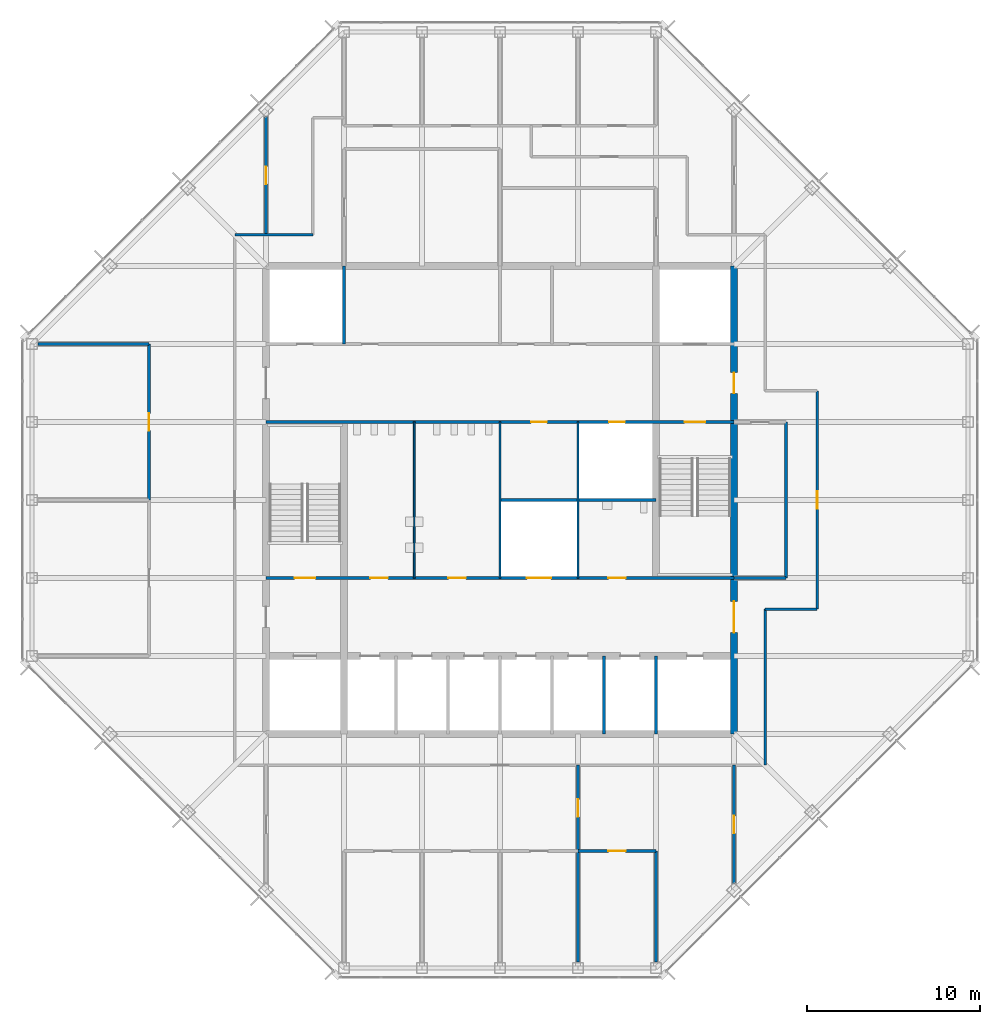
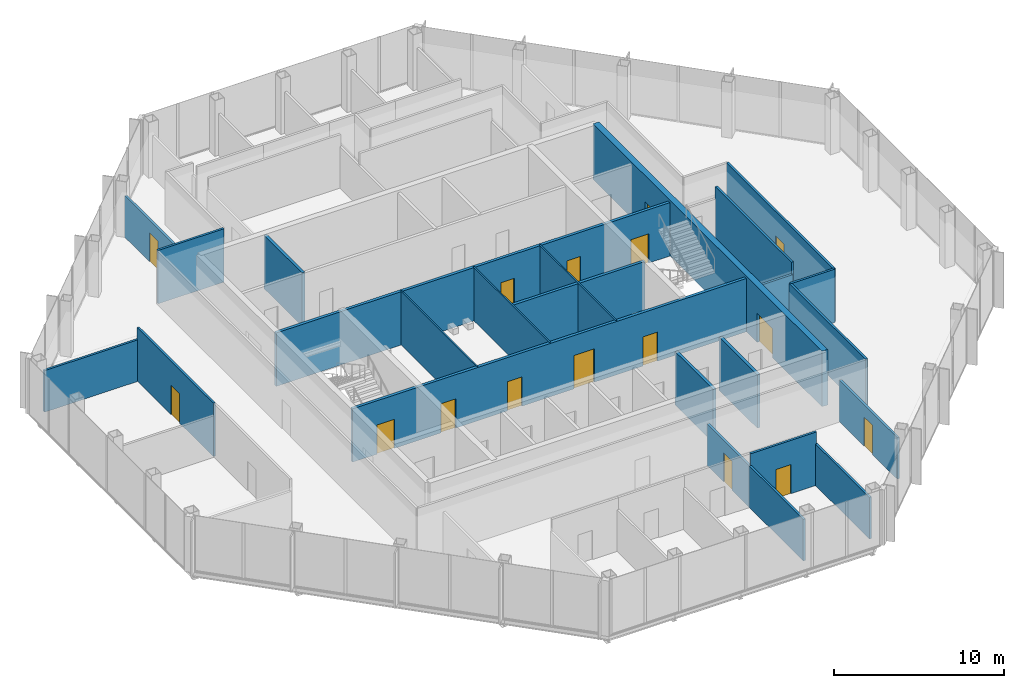
# One storey, part 10 of 14: 24 walls, 16 doors, 16 openings.
"""IFC4 building model written with IfcOpenShell, lengths in metres."""

import ifcopenshell
import ifcopenshell.guid

model = None  # the IFC model being written
_history = None  # IfcOwnerHistory: only IFC2X3 demands one
_inside = {}  # id of a spatial element -> (the spatial element, [elements in it])
_under = {}  # id of a project, library or spatial element -> (it, [spatial elements below it])
_declared = {}  # id of a project -> (the project, [libraries it declares])
_typed = {}  # id of a type object -> (the type object, [elements of that type])
_made_of = {}  # id of a material, layer set ... -> (it, [elements and type objects made of it])


def new_model(schema):
    """Start an empty IFC model of exactly this schema.

    Asked for "IFC4X3", IfcOpenShell would pick the latest addendum, in which some entities
    have other attributes; the version numbers below select the first issue.
    IFC2X3 requires an IfcOwnerHistory on every rooted entity: one is made here for all.
    """
    global model, _history
    if schema == "IFC4X3":
        model = ifcopenshell.file(schema_version=(4, 3, 0, 0))
    else:
        model = ifcopenshell.file(schema=schema)
    _inside.clear()
    _under.clear()
    _declared.clear()
    _typed.clear()
    _made_of.clear()
    _history = None
    if model.schema == "IFC2X3":
        org = make("IfcOrganization", Name="unknown")
        user = make(
            "IfcPersonAndOrganization",
            ThePerson=make("IfcPerson", FamilyName="unknown"),
            TheOrganization=org,
        )
        app = make(
            "IfcApplication",
            ApplicationDeveloper=org,
            Version="unknown",
            ApplicationFullName="unknown",
            ApplicationIdentifier="unknown",
        )
        _history = make(
            "IfcOwnerHistory",
            OwningUser=user,
            OwningApplication=app,
            ChangeAction="ADDED",
            CreationDate=0,
        )
    return model


def make(cls, **values):
    """One entity of the class cls with the attributes given. An attribute that is None is left unset."""
    return model.create_entity(
        cls, **{name: value for name, value in values.items() if value is not None}
    )


def rooted(cls, **values):
    """An entity with a GlobalId (a new one), such as an element, a storey or a relation."""
    return make(cls, GlobalId=ifcopenshell.guid.new(), OwnerHistory=_history, **values)


def si_unit(unit_type, name, prefix=None):
    """IfcSIUnit, for example si_unit("LENGTHUNIT", "METRE", prefix="MILLI")."""
    return make("IfcSIUnit", UnitType=unit_type, Prefix=prefix, Name=name)


def assignment(units):
    """IfcUnitAssignment: the units of a project."""
    return None if units is None else make("IfcUnitAssignment", Units=units)


def point(xyz):
    """IfcCartesianPoint."""
    return None if xyz is None else make("IfcCartesianPoint", Coordinates=xyz)


def direction(xyz):
    """IfcDirection."""
    return None if xyz is None else make("IfcDirection", DirectionRatios=xyz)


def frame(location, z_axis=None, x_axis=None):
    """IfcAxis2Placement3D, a coordinate frame: its origin and axes. An axis left out is left unset."""
    return make(
        "IfcAxis2Placement3D",
        Location=point(location),
        Axis=direction(z_axis),
        RefDirection=direction(x_axis),
    )


def frame_2d(location, x_axis=None):
    """IfcAxis2Placement2D, a coordinate frame in the plane: its origin and x axis."""
    return make(
        "IfcAxis2Placement2D", Location=point(location), RefDirection=direction(x_axis)
    )


def origin():
    """The frame at (0, 0, 0) with its axes left unset."""
    return frame((0.0, 0.0, 0.0))


def place(relative_to, where):
    """IfcLocalPlacement: puts the frame where relative to a parent placement (None: the world)."""
    return make(
        "IfcLocalPlacement", PlacementRelTo=relative_to, RelativePlacement=where
    )


def context(
    kind, dimensions, precision=None, world=None, true_north=None, identifier=None
):
    """IfcGeometricRepresentationContext, for example the 3D "Model" context."""
    return make(
        "IfcGeometricRepresentationContext",
        ContextIdentifier=identifier,
        ContextType=kind,
        CoordinateSpaceDimension=dimensions,
        Precision=precision,
        WorldCoordinateSystem=world,
        TrueNorth=true_north,
    )


def subcontext(parent, identifier, kind, view, scale=None):
    """IfcGeometricRepresentationSubContext, for example "Body" below "Model"."""
    return make(
        "IfcGeometricRepresentationSubContext",
        ContextIdentifier=identifier,
        ContextType=kind,
        ParentContext=parent,
        TargetScale=scale,
        TargetView=view,
    )


def project(units=None, contexts=None):
    """IfcProject with its units and contexts."""
    return rooted(
        "IfcProject",
        Name="project",
        RepresentationContexts=contexts,
        UnitsInContext=assignment(units),
    )


def spatial(cls, under=None, at=None, **own):
    """A site, building, storey or space (cls), placed at a placement, below another one or the project."""
    s = rooted(cls, ObjectPlacement=at, **own)
    if under is not None:
        _under.setdefault(under.id(), (under, []))[1].append(s)
    return s


def profile(cls, at=None, kind="AREA", **sizes):
    """A parametric profile (cls). Its sizes go by their IFC names, for example OverallWidth=200.0."""
    return make(cls, ProfileType=kind, Position=at, **sizes)


def rectangle(**sizes):
    """IfcRectangleProfileDef."""
    return profile("IfcRectangleProfileDef", **sizes)


def extrude(swept, where, along, depth):
    """IfcExtrudedAreaSolid: the profile swept, set in the frame where, extruded along a direction by depth."""
    return make(
        "IfcExtrudedAreaSolid",
        SweptArea=swept,
        Position=where,
        ExtrudedDirection=direction(along),
        Depth=depth,
    )


def shape(context_of_items, identifier, shape_type, items):
    """IfcShapeRepresentation: the items that make up one representation, for example the "Body"."""
    return make(
        "IfcShapeRepresentation",
        ContextOfItems=context_of_items,
        RepresentationIdentifier=identifier,
        RepresentationType=shape_type,
        Items=items,
    )


def material(Name=None, Category=None):
    """IfcMaterial."""
    return make("IfcMaterial", Name=Name, Category=Category)


def layer(
    of_material, thickness, ventilated=None, Name=None, Category=None, Priority=None
):
    """IfcMaterialLayer: one layer of a wall or slab, of a material (None: an air gap)."""
    return make(
        "IfcMaterialLayer",
        Material=of_material,
        LayerThickness=thickness,
        IsVentilated=ventilated,
        Name=Name,
        Category=Category,
        Priority=Priority,
    )


def layer_set(layers, Name=None):
    """IfcMaterialLayerSet."""
    return make("IfcMaterialLayerSet", MaterialLayers=layers, LayerSetName=Name)


def made_of(thing, what):
    """Note that an element or type object is made of a material, layer set ...; save() writes the relation."""
    if what is not None:
        _made_of.setdefault(what.id(), (what, []))[1].append(thing)
    return thing


def type_object(cls, material=None, **own):
    """A type object (cls), such as IfcWallType, which elements share."""
    return made_of(rooted(cls, **own), material)


def element(
    cls,
    number,
    at=None,
    inside=None,
    cuts=None,
    type_object=None,
    material=None,
    context=None,
    identifier="Body",
    shape_type=None,
    held_by="IfcProductDefinitionShape",
    body=None,
    shapes=None,
    **own,
):
    """One element of the class cls, such as IfcWall. Its Tag is "e" and its number.

    at: its placement. inside: the storey or other place that contains it. cuts: it is an
    opening in that element (IfcRelVoidsElement). A single representation is given by context,
    identifier, shape_type and body (its items); several are given by shapes. held_by: the class
    of the entity that holds the representations. save() writes the other relations.
    """
    e = rooted(cls, Tag="e%d" % number, ObjectPlacement=at, **own)
    if body is not None:
        shapes = [shape(context, identifier, shape_type, body)]
    if shapes is not None:
        e.Representation = make(held_by, Representations=shapes)
    if inside is not None:
        _inside.setdefault(inside.id(), (inside, []))[1].append(e)
    if cuts is not None:
        rooted(
            "IfcRelVoidsElement", RelatingBuildingElement=cuts, RelatedOpeningElement=e
        )
    if type_object is not None:
        _typed.setdefault(type_object.id(), (type_object, []))[1].append(e)
    return made_of(e, material)


def fill(opening, filler):
    """IfcRelFillsElement: the door or window that sits in an opening."""
    return rooted(
        "IfcRelFillsElement",
        RelatingOpeningElement=opening,
        RelatedBuildingElement=filler,
    )


def aggregate(whole, parts):
    """IfcRelAggregates: a whole, such as a stair, and the parts it consists of."""
    return rooted("IfcRelAggregates", RelatingObject=whole, RelatedObjects=parts)


def save(model, path):
    """Write the relations noted so far, then the file.

    IfcRelAggregates (storeys below a building ...), IfcRelContainedInSpatialStructure (elements
    in a storey), IfcRelDefinesByType, IfcRelAssociatesMaterial and IfcRelDeclares: one each for
    every whole, place, type object, material and project.
    """
    for whole, parts in _under.values():
        aggregate(whole, parts)
    for where, things in _inside.values():
        rooted(
            "IfcRelContainedInSpatialStructure",
            RelatedElements=things,
            RelatingStructure=where,
        )
    for kind, things in _typed.values():
        rooted("IfcRelDefinesByType", RelatedObjects=things, RelatingType=kind)
    for what, things in _made_of.values():
        rooted("IfcRelAssociatesMaterial", RelatedObjects=things, RelatingMaterial=what)
    for by, libraries in _declared.values():
        rooted("IfcRelDeclares", RelatingContext=by, RelatedDefinitions=libraries)
    model.write(path)


model = new_model("IFC4")

# Units and contexts
model_context = context("Model", 3, precision=1e-05, world=origin(), true_north=direction((0.0, 1.0)))
body_context = subcontext(model_context, "Body", "Model", "MODEL_VIEW")
ifc_project = project(units=[si_unit("LENGTHUNIT", "METRE"), si_unit("AREAUNIT", "SQUARE_METRE"), si_unit("VOLUMEUNIT", "CUBIC_METRE"), si_unit("PLANEANGLEUNIT", "RADIAN"), si_unit("MASSUNIT", "GRAM", prefix="KILO")], contexts=[model_context])

# Site, building, storey
site_placement = place(None, origin())
site = spatial("IfcSite", under=ifc_project, at=site_placement, CompositionType="ELEMENT")
building_placement = place(site_placement, origin())
building = spatial("IfcBuilding", under=site, at=building_placement, Name="Corais Broadcast Tower", CompositionType="ELEMENT")
storey_placement = place(building_placement, frame((0.0, 0.0, 254.60009765625)))
storey = spatial("IfcBuildingStorey", under=building, at=storey_placement, Name="L59", CompositionType="ELEMENT", Elevation=254.60009765625)

# Walls
ifc_material_1 = material(Name="Concrete blockwork class A, grouted, two-hour", Category="masonry")
ifc_layer_1 = layer(ifc_material_1, 0.199951171875)
ifc_layer_set_1 = layer_set([ifc_layer_1], Name="Concrete blockwork class A, grouted, two-hour")
wall_type_1 = type_object("IfcWallType", Name="Core lobby wall 200", PredefinedType="SOLIDWALL", material=ifc_layer_set_1)
for number, where, z_axis, x_axis, name in (
    (1, (18.0, 36.0, 0.0), (0.0, 0.0, 1.0), (0.0, 1.0, 0.0), "CL3 core shaft wall X18B L59"),
    (2, (36.0, 13.5, 0.0), (0.0, 0.0, 1.0), (0.0, 1.0, 0.0), "CL3 core shaft wall X36A L59"),
):
    element("IfcWall", number, at=place(storey_placement, frame(where, z_axis=z_axis, x_axis=x_axis)), inside=storey, type_object=wall_type_1, Name=name, PredefinedType="SOLIDWALL", context=body_context, shape_type="SweptSolid", body=[
        extrude(rectangle(XDim=4.5, YDim=0.199951171875, at=frame_2d((2.25, 0.0))), origin(), (0.0, 0.0, 1.0), 3.83984375),
    ])

# Wall, openings, doors
wall_1_placement = place(storey_placement, frame((13.5, 22.5, 0.0), z_axis=(0.0, 0.0, 1.0), x_axis=(1.0, 0.0, 0.0)))
wall_1 = element("IfcWall", 3, at=wall_1_placement, inside=storey, type_object=wall_type_1, Name="CL3 core lobby wall Y225 L59", PredefinedType="SOLIDWALL", context=body_context, shape_type="SweptSolid", body=[
    extrude(rectangle(XDim=27.0, YDim=0.199951171875, at=frame_2d((13.5, 0.0))), origin(), (0.0, 0.0, 1.0), 3.83984375),
])
opening_1_placement = place(wall_1_placement, frame((1.64990234375, 0.0, 0.0)))
opening_1 = element("IfcOpeningElement", 4, at=opening_1_placement, cuts=wall_1, Name="Opening FD1", PredefinedType="OPENING", context=body_context, shape_type="SweptSolid", body=[
    extrude(rectangle(XDim=1.199951171875, YDim=2.10009765625, at=frame_2d((0.60009765625, 1.050048828125))), frame((0.0, 0.10986328125, 0.0), z_axis=(0.0, -1.0, 0.0), x_axis=(1.0, 0.0, 0.0)), (0.0, 0.0, 1.0), 0.219970703125),
])
opening_2_placement = place(wall_1_placement, frame((6.02490234375, 0.0, 0.0)))
opening_2 = element("IfcOpeningElement", 5, at=opening_2_placement, cuts=wall_1, Name="Opening WD1", PredefinedType="OPENING", context=body_context, shape_type="SweptSolid", body=[
    extrude(rectangle(XDim=1.0, YDim=2.10009765625, at=frame_2d((0.5, 1.050048828125))), frame((0.0, 0.10986328125, 0.0), z_axis=(0.0, -1.0, 0.0), x_axis=(1.0, 0.0, 0.0)), (0.0, 0.0, 1.0), 0.219970703125),
])
opening_3_placement = place(wall_1_placement, frame((10.52490234375, 0.0, 0.0)))
opening_3 = element("IfcOpeningElement", 6, at=opening_3_placement, cuts=wall_1, Name="Opening WD1", PredefinedType="OPENING", context=body_context, shape_type="SweptSolid", body=[
    extrude(rectangle(XDim=1.0, YDim=2.10009765625, at=frame_2d((0.5, 1.050048828125))), frame((0.0, 0.10986328125, 0.0), z_axis=(0.0, -1.0, 0.0), x_axis=(1.0, 0.0, 0.0)), (0.0, 0.0, 1.0), 0.219970703125),
])
opening_4_placement = place(wall_1_placement, frame((19.75, 0.0, 0.0)))
opening_4 = element("IfcOpeningElement", 7, at=opening_4_placement, cuts=wall_1, Name="Opening WD1", PredefinedType="OPENING", context=body_context, shape_type="SweptSolid", body=[
    extrude(rectangle(XDim=1.0, YDim=2.10009765625, at=frame_2d((0.5, 1.050048828125))), frame((0.0, 0.10986328125, 0.0), z_axis=(0.0, -1.0, 0.0), x_axis=(1.0, 0.0, 0.0)), (0.0, 0.0, 1.0), 0.219970703125),
])
opening_5_placement = place(wall_1_placement, frame((15.050048828125, 0.0, 0.0)))
opening_5 = element("IfcOpeningElement", 8, at=opening_5_placement, cuts=wall_1, Name="Opening LD3", PredefinedType="OPENING", context=body_context, shape_type="SweptSolid", body=[
    extrude(rectangle(XDim=1.39990234375, YDim=2.39990234375, at=frame_2d((0.699951171875, 1.199951171875))), frame((0.0, 0.10986328125, 0.0), z_axis=(0.0, -1.0, 0.0), x_axis=(1.0, 0.0, 0.0)), (0.0, 0.0, 1.0), 0.219970703125),
])
ifc_material_2 = material(Name="Steel fire door", Category="steel")
door_type_1 = type_object("IfcDoorType", Name="Fire door 1200x2100", OperationType="SINGLE_SWING_LEFT", PredefinedType="DOOR", material=ifc_material_2)
door_1_placement = place(opening_1_placement, origin())
door_1 = element("IfcDoor", 9, at=door_1_placement, inside=storey, type_object=door_type_1, Name="FD1 stair A door L59", OperationType="SINGLE_SWING_LEFT", OverallHeight=2.10009765625, OverallWidth=1.199951171875, PredefinedType="DOOR", context=body_context, shape_type="SweptSolid", body=[
    extrude(rectangle(XDim=1.199951171875, YDim=2.10009765625, at=frame_2d((0.60009765625, 1.050048828125))), frame((0.0, 0.02490234375, 0.0), z_axis=(0.0, -1.0, 0.0), x_axis=(1.0, 0.0, 0.0)), (0.0, 0.0, 1.0), 0.050048828125),
])
fill(opening_1, door_1)
ifc_material_3 = material(Name="Stainless steel lift door", Category="steel")
door_type_2 = type_object("IfcDoorType", Name="Service lift landing door 1400x2400", OperationType="SLIDING_TO_LEFT", PredefinedType="DOOR", material=ifc_material_3)
door_2_placement = place(opening_5_placement, origin())
door_2 = element("IfcDoor", 10, at=door_2_placement, inside=storey, type_object=door_type_2, Name="LD3 SL1 landing door L59", OperationType="SLIDING_TO_LEFT", OverallHeight=2.39990234375, OverallWidth=1.39990234375, PredefinedType="DOOR", context=body_context, shape_type="SweptSolid", body=[
    extrude(rectangle(XDim=1.39990234375, YDim=2.39990234375, at=frame_2d((0.699951171875, 1.199951171875))), frame((0.0, 0.02490234375, 0.0), z_axis=(0.0, -1.0, 0.0), x_axis=(1.0, 0.0, 0.0)), (0.0, 0.0, 1.0), 0.050048828125),
])
fill(opening_5, door_2)
ifc_material_4 = material(Name="Timber door", Category="wood")
door_type_3 = type_object("IfcDoorType", Name="Toilet door 1000x2100", OperationType="SINGLE_SWING_LEFT", PredefinedType="DOOR", material=ifc_material_4)
door_3_placement = place(opening_2_placement, origin())
door_3 = element("IfcDoor", 11, at=door_3_placement, inside=storey, type_object=door_type_3, Name="WD1 WC male door L59", OperationType="SINGLE_SWING_LEFT", OverallHeight=2.10009765625, OverallWidth=1.0, PredefinedType="DOOR", context=body_context, shape_type="SweptSolid", body=[
    extrude(rectangle(XDim=1.0, YDim=2.10009765625, at=frame_2d((0.5, 1.050048828125))), frame((0.0, 0.02490234375, 0.0), z_axis=(0.0, -1.0, 0.0), x_axis=(1.0, 0.0, 0.0)), (0.0, 0.0, 1.0), 0.050048828125),
])
fill(opening_2, door_3)
door_4_placement = place(opening_3_placement, origin())
door_4 = element("IfcDoor", 12, at=door_4_placement, inside=storey, type_object=door_type_3, Name="WD1 WC female door L59", OperationType="SINGLE_SWING_LEFT", OverallHeight=2.10009765625, OverallWidth=1.0, PredefinedType="DOOR", context=body_context, shape_type="SweptSolid", body=[
    extrude(rectangle(XDim=1.0, YDim=2.10009765625, at=frame_2d((0.5, 1.050048828125))), frame((0.0, 0.02490234375, 0.0), z_axis=(0.0, -1.0, 0.0), x_axis=(1.0, 0.0, 0.0)), (0.0, 0.0, 1.0), 0.050048828125),
])
fill(opening_3, door_4)
door_5_placement = place(opening_4_placement, origin())
door_5 = element("IfcDoor", 13, at=door_5_placement, inside=storey, type_object=door_type_3, Name="WD1 accessible WC door L59", OperationType="SINGLE_SWING_RIGHT", OverallHeight=2.10009765625, OverallWidth=1.0, PredefinedType="DOOR", context=body_context, shape_type="SweptSolid", body=[
    extrude(rectangle(XDim=1.0, YDim=2.10009765625, at=frame_2d((0.5, 1.050048828125))), frame((0.0, 0.02490234375, 0.0), z_axis=(0.0, -1.0, 0.0), x_axis=(1.0, 0.0, 0.0)), (0.0, 0.0, 1.0), 0.050048828125),
])
fill(opening_4, door_5)

wall_2_placement = place(storey_placement, frame((13.5, 31.5, 0.0), z_axis=(0.0, 0.0, 1.0), x_axis=(1.0, 0.0, 0.0)))
wall_2 = element("IfcWall", 14, at=wall_2_placement, inside=storey, type_object=wall_type_1, Name="CL3 core lobby wall Y315 L59", PredefinedType="SOLIDWALL", context=body_context, shape_type="SweptSolid", body=[
    extrude(rectangle(XDim=27.0, YDim=0.199951171875, at=frame_2d((13.5, 0.0))), origin(), (0.0, 0.0, 1.0), 3.83984375),
])
opening_6_placement = place(wall_2_placement, frame((24.14990234375, 0.0, 0.0)))
opening_6 = element("IfcOpeningElement", 15, at=opening_6_placement, cuts=wall_2, Name="Opening FD1", PredefinedType="OPENING", context=body_context, shape_type="SweptSolid", body=[
    extrude(rectangle(XDim=1.199951171875, YDim=2.10009765625, at=frame_2d((0.60009765625, 1.050048828125))), frame((0.0, 0.10986328125, 0.0), z_axis=(0.0, -1.0, 0.0), x_axis=(1.0, 0.0, 0.0)), (0.0, 0.0, 1.0), 0.219970703125),
])
opening_7_placement = place(wall_2_placement, frame((15.300048828125, 0.0, 0.0)))
opening_7 = element("IfcOpeningElement", 16, at=opening_7_placement, cuts=wall_2, Name="Opening RD1", PredefinedType="OPENING", context=body_context, shape_type="SweptSolid", body=[
    extrude(rectangle(XDim=0.89990234375, YDim=2.10009765625, at=frame_2d((0.449951171875, 1.050048828125))), frame((0.0, 0.10986328125, 0.0), z_axis=(0.0, -1.0, 0.0), x_axis=(1.0, 0.0, 0.0)), (0.0, 0.0, 1.0), 0.219970703125),
])
opening_8_placement = place(wall_2_placement, frame((19.800048828125, 0.0, 0.0)))
opening_8 = element("IfcOpeningElement", 17, at=opening_8_placement, cuts=wall_2, Name="Opening RD1", PredefinedType="OPENING", context=body_context, shape_type="SweptSolid", body=[
    extrude(rectangle(XDim=0.89990234375, YDim=2.10009765625, at=frame_2d((0.449951171875, 1.050048828125))), frame((0.0, 0.10986328125, 0.0), z_axis=(0.0, -1.0, 0.0), x_axis=(1.0, 0.0, 0.0)), (0.0, 0.0, 1.0), 0.219970703125),
])
door_6_placement = place(opening_6_placement, origin())
door_6 = element("IfcDoor", 18, at=door_6_placement, inside=storey, type_object=door_type_1, Name="FD1 stair B door L59", OperationType="SINGLE_SWING_RIGHT", OverallHeight=2.10009765625, OverallWidth=1.199951171875, PredefinedType="DOOR", context=body_context, shape_type="SweptSolid", body=[
    extrude(rectangle(XDim=1.199951171875, YDim=2.10009765625, at=frame_2d((0.60009765625, 1.050048828125))), frame((0.0, 0.02490234375, 0.0), z_axis=(0.0, -1.0, 0.0), x_axis=(1.0, 0.0, 0.0)), (0.0, 0.0, 1.0), 0.050048828125),
])
fill(opening_6, door_6)
ifc_material_5 = material(Name="Steel fire door", Category="steel")
door_type_4 = type_object("IfcDoorType", Name="Riser door 900x2100", OperationType="SINGLE_SWING_LEFT", PredefinedType="DOOR", material=ifc_material_5)
door_7_placement = place(opening_7_placement, origin())
door_7 = element("IfcDoor", 19, at=door_7_placement, inside=storey, type_object=door_type_4, Name="RD1 vending room door L59", OperationType="SINGLE_SWING_RIGHT", OverallHeight=2.10009765625, OverallWidth=0.89990234375, PredefinedType="DOOR", context=body_context, shape_type="SweptSolid", body=[
    extrude(rectangle(XDim=0.89990234375, YDim=2.10009765625, at=frame_2d((0.449951171875, 1.050048828125))), frame((0.0, 0.02490234375, 0.0), z_axis=(0.0, -1.0, 0.0), x_axis=(1.0, 0.0, 0.0)), (0.0, 0.0, 1.0), 0.050048828125),
])
fill(opening_7, door_7)
door_8_placement = place(opening_8_placement, origin())
door_8 = element("IfcDoor", 20, at=door_8_placement, inside=storey, type_object=door_type_4, Name="RD1 riser door L59", OperationType="SINGLE_SWING_RIGHT", OverallHeight=2.10009765625, OverallWidth=0.89990234375, PredefinedType="DOOR", context=body_context, shape_type="SweptSolid", body=[
    extrude(rectangle(XDim=0.89990234375, YDim=2.10009765625, at=frame_2d((0.449951171875, 1.050048828125))), frame((0.0, 0.02490234375, 0.0), z_axis=(0.0, -1.0, 0.0), x_axis=(1.0, 0.0, 0.0)), (0.0, 0.0, 1.0), 0.050048828125),
])
fill(opening_8, door_8)

ifc_material_6 = material(Name="Concrete C50/60", Category="concrete")
ifc_layer_2 = layer(ifc_material_6, 0.39990234375)
ifc_layer_set_2 = layer_set([ifc_layer_2], Name="Concrete C50/60")
wall_type_2 = type_object("IfcWallType", Name="Core wall 400", PredefinedType="SHEAR", material=ifc_layer_set_2)
wall_3_placement = place(storey_placement, frame((40.5, 13.5, 0.0), z_axis=(0.0, 0.0, 1.0), x_axis=(0.0, 1.0, 0.0)))
wall_3 = element("IfcWall", 21, at=wall_3_placement, inside=storey, type_object=wall_type_2, Name="CR400 core wall E L59", PredefinedType="SHEAR", context=body_context, shape_type="SweptSolid", body=[
    extrude(rectangle(XDim=27.0, YDim=0.39990234375, at=frame_2d((13.5, 0.0))), origin(), (0.0, 0.0, 1.0), 4.0),
])
opening_9_placement = place(wall_3_placement, frame((5.85009765625, 0.0, 0.0)))
opening_9 = element("IfcOpeningElement", 22, at=opening_9_placement, cuts=wall_3, Name="Opening FD2", PredefinedType="OPENING", context=body_context, shape_type="SweptSolid", body=[
    extrude(rectangle(XDim=1.800048828125, YDim=2.10009765625, at=frame_2d((0.89990234375, 1.050048828125))), frame((0.0, 0.2099609375, 0.0), z_axis=(0.0, -1.0, 0.0), x_axis=(1.0, 0.0, 0.0)), (0.0, 0.0, 1.0), 0.419921875),
])
opening_10_placement = place(wall_3_placement, frame((19.64990234375, 0.0, 0.0)))
opening_10 = element("IfcOpeningElement", 23, at=opening_10_placement, cuts=wall_3, Name="Opening FD1", PredefinedType="OPENING", context=body_context, shape_type="SweptSolid", body=[
    extrude(rectangle(XDim=1.199951171875, YDim=2.10009765625, at=frame_2d((0.60009765625, 1.050048828125))), frame((0.0, 0.2099609375, 0.0), z_axis=(0.0, -1.0, 0.0), x_axis=(1.0, 0.0, 0.0)), (0.0, 0.0, 1.0), 0.419921875),
])
door_9_placement = place(opening_10_placement, origin())
door_9 = element("IfcDoor", 24, at=door_9_placement, inside=storey, type_object=door_type_1, Name="FD1 fire lobby B door L59", OperationType="SINGLE_SWING_RIGHT", OverallHeight=2.10009765625, OverallWidth=1.199951171875, PredefinedType="DOOR", context=body_context, shape_type="SweptSolid", body=[
    extrude(rectangle(XDim=1.199951171875, YDim=2.10009765625, at=frame_2d((0.60009765625, 1.050048828125))), frame((0.0, 0.02490234375, 0.0), z_axis=(0.0, -1.0, 0.0), x_axis=(1.0, 0.0, 0.0)), (0.0, 0.0, 1.0), 0.050048828125),
])
fill(opening_10, door_9)
ifc_material_7 = material(Name="Steel fire door", Category="steel")
door_type_5 = type_object("IfcDoorType", Name="Fire door pair 1800x2100", OperationType="DOUBLE_DOOR_SINGLE_SWING", PredefinedType="DOOR", material=ifc_material_7)
door_10_placement = place(opening_9_placement, origin())
door_10 = element("IfcDoor", 25, at=door_10_placement, inside=storey, type_object=door_type_5, Name="FD2 lift lobby door L59", OperationType="SINGLE_SWING_LEFT", OverallHeight=2.10009765625, OverallWidth=1.800048828125, PredefinedType="DOOR", context=body_context, shape_type="SweptSolid", body=[
    extrude(rectangle(XDim=1.800048828125, YDim=2.10009765625, at=frame_2d((0.89990234375, 1.050048828125))), frame((0.0, 0.02490234375, 0.0), z_axis=(0.0, -1.0, 0.0), x_axis=(1.0, 0.0, 0.0)), (0.0, 0.0, 1.0), 0.050048828125),
])
fill(opening_9, door_10)

# Wall, opening, door
ifc_material_8 = material(Name="Gypsum board on steel studs", Category="steel")
ifc_layer_3 = layer(ifc_material_8, 0.14990234375)
ifc_layer_set_3 = layer_set([ifc_layer_3], Name="Gypsum board on steel studs")
wall_type_3 = type_object("IfcWallType", Name="Partition 150", PredefinedType="PARTITIONING", material=ifc_layer_set_3)
wall_4_placement = place(storey_placement, frame((45.300048828125, 20.699951171875, 0.0), z_axis=(0.0, 0.0, 1.0), x_axis=(0.0, 1.0, 0.0)))
wall_4 = element("IfcWall", 26, at=wall_4_placement, inside=storey, type_object=wall_type_3, Name="IW3 corridor wall L59", PredefinedType="PARTITIONING", context=body_context, shape_type="SweptSolid", body=[
    extrude(rectangle(XDim=12.60009765625, YDim=0.14990234375, at=frame_2d((6.300048828125, 0.0))), origin(), (0.0, 0.0, 1.0), 3.83984375),
])
opening_11_placement = place(wall_4_placement, frame((5.800048828125, 0.0, 0.0)))
opening_11 = element("IfcOpeningElement", 27, at=opening_11_placement, cuts=wall_4, Name="Opening D1", PredefinedType="OPENING", context=body_context, shape_type="SweptSolid", body=[
    extrude(rectangle(XDim=1.0, YDim=2.10009765625, at=frame_2d((0.5, 1.050048828125))), frame((0.0, 0.0849609375, 0.0), z_axis=(0.0, -1.0, 0.0), x_axis=(1.0, 0.0, 0.0)), (0.0, 0.0, 1.0), 0.169921875),
])
ifc_material_9 = material(Name="Timber door", Category="wood")
door_type_6 = type_object("IfcDoorType", Name="Single door 1000x2100", OperationType="SINGLE_SWING_LEFT", PredefinedType="DOOR", material=ifc_material_9)
door_11_placement = place(opening_11_placement, origin())
door_11 = element("IfcDoor", 28, at=door_11_placement, inside=storey, type_object=door_type_6, Name="D1 workplace door L59", OperationType="SINGLE_SWING_LEFT", OverallHeight=2.10009765625, OverallWidth=1.0, PredefinedType="DOOR", context=body_context, shape_type="SweptSolid", body=[
    extrude(rectangle(XDim=1.0, YDim=2.10009765625, at=frame_2d((0.5, 1.050048828125))), frame((0.0, 0.02490234375, 0.0), z_axis=(0.0, -1.0, 0.0), x_axis=(1.0, 0.0, 0.0)), (0.0, 0.0, 1.0), 0.050048828125),
])
fill(opening_11, door_11)

# Walls
wall_5_placement = place(storey_placement, frame((42.300048828125, 11.699951171875, 0.0), z_axis=(0.0, 0.0, 1.0), x_axis=(0.0, 1.0, 0.0)))
element("IfcWall", 29, at=wall_5_placement, inside=storey, type_object=wall_type_3, Name="IW3 corridor wall L59", PredefinedType="PARTITIONING", context=body_context, shape_type="SweptSolid", body=[
    extrude(rectangle(XDim=9.0, YDim=0.14990234375, at=frame_2d((4.5, 0.0))), origin(), (0.0, 0.0, 1.0), 3.83984375),
])
wall_6_placement = place(storey_placement, frame((16.199951171875, 42.300048828125, 0.0), z_axis=(0.0, 0.0, 1.0), x_axis=(-1.0, 0.0, 0.0)))
element("IfcWall", 30, at=wall_6_placement, inside=storey, type_object=wall_type_3, Name="IW3 corridor wall L59", PredefinedType="PARTITIONING", context=body_context, shape_type="SweptSolid", body=[
    extrude(rectangle(XDim=4.5, YDim=0.14990234375, at=frame_2d((2.25, 0.0))), origin(), (0.0, 0.0, 1.0), 3.83984375),
])
wall_7_placement = place(storey_placement, frame((42.300048828125, 20.699951171875, 0.0), z_axis=(0.0, 0.0, 1.0), x_axis=(1.0, 0.0, 0.0)))
element("IfcWall", 31, at=wall_7_placement, inside=storey, type_object=wall_type_3, Name="IW3 corridor wall L59", PredefinedType="PARTITIONING", context=body_context, shape_type="SweptSolid", body=[
    extrude(rectangle(XDim=3.0, YDim=0.14990234375, at=frame_2d((1.5, 0.0))), origin(), (0.0, 0.0, 1.0), 3.83984375),
])
for number, where, z_axis, x_axis, name in (
    (32, (31.5, 0.3349609375, 0.0), (0.0, 0.0, 1.0), (0.0, 1.0, 0.0), "IW3 partition L59"),
    (33, (36.0, 0.3349609375, 0.0), (0.0, 0.0, 1.0), (0.0, 1.0, 0.0), "IW3 partition L59"),
):
    element("IfcWall", number, at=place(storey_placement, frame(where, z_axis=z_axis, x_axis=x_axis)), inside=storey, type_object=wall_type_3, Name=name, PredefinedType="PARTITIONING", context=body_context, shape_type="SweptSolid", body=[
        extrude(rectangle(XDim=6.4150390625, YDim=0.14990234375, at=frame_2d((3.20751953125, 0.0))), origin(), (0.0, 0.0, 1.0), 2.989013671875),
    ])

# Wall, opening, door
wall_8_placement = place(storey_placement, frame((36.0, 6.75, 0.0), z_axis=(0.0, 0.0, 1.0), x_axis=(-1.0, 0.0, 0.0)))
wall_8 = element("IfcWall", 34, at=wall_8_placement, inside=storey, type_object=wall_type_3, Name="IW3 partition L59", PredefinedType="PARTITIONING", context=body_context, shape_type="SweptSolid", body=[
    extrude(rectangle(XDim=4.5, YDim=0.14990234375, at=frame_2d((2.25, 0.0))), origin(), (0.0, 0.0, 1.0), 3.83984375),
])
opening_12_placement = place(wall_8_placement, frame((1.75, 0.0, 0.0)))
opening_12 = element("IfcOpeningElement", 35, at=opening_12_placement, cuts=wall_8, Name="Opening D1", PredefinedType="OPENING", context=body_context, shape_type="SweptSolid", body=[
    extrude(rectangle(XDim=1.0, YDim=2.10009765625, at=frame_2d((0.5, 1.050048828125))), frame((0.0, 0.0849609375, 0.0), z_axis=(0.0, -1.0, 0.0), x_axis=(1.0, 0.0, 0.0)), (0.0, 0.0, 1.0), 0.169921875),
])
door_12_placement = place(opening_12_placement, origin())
door_12 = element("IfcDoor", 36, at=door_12_placement, inside=storey, type_object=door_type_6, Name="D1 Office door", OperationType="SINGLE_SWING_LEFT", OverallHeight=2.10009765625, OverallWidth=1.0, PredefinedType="DOOR", context=body_context, shape_type="SweptSolid", body=[
    extrude(rectangle(XDim=1.0, YDim=2.10009765625, at=frame_2d((0.5, 1.050048828125))), frame((0.0, 0.02490234375, 0.0), z_axis=(0.0, -1.0, 0.0), x_axis=(1.0, 0.0, 0.0)), (0.0, 0.0, 1.0), 0.050048828125),
])
fill(opening_12, door_12)

# Walls
wall_9_placement = place(storey_placement, frame((40.5, 22.5, 0.0), z_axis=(0.0, 0.0, 1.0), x_axis=(1.0, 0.0, 0.0)))
element("IfcWall", 37, at=wall_9_placement, inside=storey, type_object=wall_type_3, Name="IW3 partition L59", PredefinedType="PARTITIONING", context=body_context, shape_type="SweptSolid", body=[
    extrude(rectangle(XDim=3.0, YDim=0.14990234375, at=frame_2d((1.5, 0.0))), origin(), (0.0, 0.0, 1.0), 2.989013671875),
])
wall_10_placement = place(storey_placement, frame((43.5, 22.5, 0.0), z_axis=(0.0, 0.0, 1.0), x_axis=(0.0, 1.0, 0.0)))
element("IfcWall", 38, at=wall_10_placement, inside=storey, type_object=wall_type_3, Name="IW3 partition L59", PredefinedType="PARTITIONING", context=body_context, shape_type="SweptSolid", body=[
    extrude(rectangle(XDim=9.0, YDim=0.14990234375, at=frame_2d((4.5, 0.0))), origin(), (0.0, 0.0, 1.0), 3.83984375),
])

# Wall, opening, door
wall_11_placement = place(storey_placement, frame((6.75, 27.0, 0.0), z_axis=(0.0, 0.0, 1.0), x_axis=(0.0, 1.0, 0.0)))
wall_11 = element("IfcWall", 39, at=wall_11_placement, inside=storey, type_object=wall_type_3, Name="IW3 partition L59", PredefinedType="PARTITIONING", context=body_context, shape_type="SweptSolid", body=[
    extrude(rectangle(XDim=9.0, YDim=0.14990234375, at=frame_2d((4.5, 0.0))), origin(), (0.0, 0.0, 1.0), 3.83984375),
])
opening_13_placement = place(wall_11_placement, frame((4.0, 0.0, 0.0)))
opening_13 = element("IfcOpeningElement", 40, at=opening_13_placement, cuts=wall_11, Name="Opening D1", PredefinedType="OPENING", context=body_context, shape_type="SweptSolid", body=[
    extrude(rectangle(XDim=1.0, YDim=2.10009765625, at=frame_2d((0.5, 1.050048828125))), frame((0.0, 0.0849609375, 0.0), z_axis=(0.0, -1.0, 0.0), x_axis=(1.0, 0.0, 0.0)), (0.0, 0.0, 1.0), 0.169921875),
])
door_13_placement = place(opening_13_placement, origin())
door_13 = element("IfcDoor", 41, at=door_13_placement, inside=storey, type_object=door_type_6, Name="D1 Engineering workshop door", OperationType="SINGLE_SWING_LEFT", OverallHeight=2.10009765625, OverallWidth=1.0, PredefinedType="DOOR", context=body_context, shape_type="SweptSolid", body=[
    extrude(rectangle(XDim=1.0, YDim=2.10009765625, at=frame_2d((0.5, 1.050048828125))), frame((0.0, 0.02490234375, 0.0), z_axis=(0.0, -1.0, 0.0), x_axis=(1.0, 0.0, 0.0)), (0.0, 0.0, 1.0), 0.050048828125),
])
fill(opening_13, door_13)

# Wall
wall_12_placement = place(storey_placement, frame((6.75, 36.0, 0.0), z_axis=(0.0, 0.0, 1.0), x_axis=(-1.0, 0.0, 0.0)))
element("IfcWall", 42, at=wall_12_placement, inside=storey, type_object=wall_type_3, Name="IW3 partition L59", PredefinedType="PARTITIONING", context=body_context, shape_type="SweptSolid", body=[
    extrude(rectangle(XDim=6.4150390625, YDim=0.14990234375, at=frame_2d((3.20751953125, 0.0))), origin(), (0.0, 0.0, 1.0), 2.989013671875),
])

# Wall, opening, door
wall_13_placement = place(storey_placement, frame((13.5, 42.300048828125, 0.0), z_axis=(0.0, 0.0, 1.0), x_axis=(0.0, 1.0, 0.0)))
wall_13 = element("IfcWall", 43, at=wall_13_placement, inside=storey, type_object=wall_type_3, Name="IW3 partition L59", PredefinedType="PARTITIONING", context=body_context, shape_type="SweptSolid", body=[
    extrude(rectangle(XDim=6.85498046875, YDim=0.14990234375, at=frame_2d((3.427490234375, 0.0))), origin(), (0.0, 0.0, 1.0), 2.989013671875),
])
opening_14_placement = place(wall_13_placement, frame((2.927490234375, 0.0, 0.0)))
opening_14 = element("IfcOpeningElement", 44, at=opening_14_placement, cuts=wall_13, Name="Opening D1", PredefinedType="OPENING", context=body_context, shape_type="SweptSolid", body=[
    extrude(rectangle(XDim=1.0, YDim=2.10009765625, at=frame_2d((0.5, 1.050048828125))), frame((0.0, 0.0849609375, 0.0), z_axis=(0.0, -1.0, 0.0), x_axis=(1.0, 0.0, 0.0)), (0.0, 0.0, 1.0), 0.169921875),
])
door_14_placement = place(opening_14_placement, origin())
door_14 = element("IfcDoor", 45, at=door_14_placement, inside=storey, type_object=door_type_6, Name="D1 team room door L59", OperationType="SINGLE_SWING_LEFT", OverallHeight=2.10009765625, OverallWidth=1.0, PredefinedType="DOOR", context=body_context, shape_type="SweptSolid", body=[
    extrude(rectangle(XDim=1.0, YDim=2.10009765625, at=frame_2d((0.5, 1.050048828125))), frame((0.0, 0.02490234375, 0.0), z_axis=(0.0, -1.0, 0.0), x_axis=(1.0, 0.0, 0.0)), (0.0, 0.0, 1.0), 0.050048828125),
])
fill(opening_14, door_14)

wall_14_placement = place(storey_placement, frame((40.5, 4.844970703125, 0.0), z_axis=(0.0, 0.0, 1.0), x_axis=(0.0, 1.0, 0.0)))
wall_14 = element("IfcWall", 46, at=wall_14_placement, inside=storey, type_object=wall_type_3, Name="IW3 partition L59", PredefinedType="PARTITIONING", context=body_context, shape_type="SweptSolid", body=[
    extrude(rectangle(XDim=6.85498046875, YDim=0.14990234375, at=frame_2d((3.427490234375, 0.0))), origin(), (0.0, 0.0, 1.0), 2.989013671875),
])
opening_15_placement = place(wall_14_placement, frame((2.927490234375, 0.0, 0.0)))
opening_15 = element("IfcOpeningElement", 47, at=opening_15_placement, cuts=wall_14, Name="Opening D1", PredefinedType="OPENING", context=body_context, shape_type="SweptSolid", body=[
    extrude(rectangle(XDim=1.0, YDim=2.10009765625, at=frame_2d((0.5, 1.050048828125))), frame((0.0, 0.0849609375, 0.0), z_axis=(0.0, -1.0, 0.0), x_axis=(1.0, 0.0, 0.0)), (0.0, 0.0, 1.0), 0.169921875),
])
door_15_placement = place(opening_15_placement, origin())
door_15 = element("IfcDoor", 48, at=door_15_placement, inside=storey, type_object=door_type_6, Name="D1 team room door L59", OperationType="SINGLE_SWING_LEFT", OverallHeight=2.10009765625, OverallWidth=1.0, PredefinedType="DOOR", context=body_context, shape_type="SweptSolid", body=[
    extrude(rectangle(XDim=1.0, YDim=2.10009765625, at=frame_2d((0.5, 1.050048828125))), frame((0.0, 0.02490234375, 0.0), z_axis=(0.0, -1.0, 0.0), x_axis=(1.0, 0.0, 0.0)), (0.0, 0.0, 1.0), 0.050048828125),
])
fill(opening_15, door_15)

wall_15_placement = place(storey_placement, frame((31.5, 11.699951171875, 0.0), z_axis=(0.0, 0.0, 1.0), x_axis=(0.0, -1.0, 0.0)))
wall_15 = element("IfcWall", 49, at=wall_15_placement, inside=storey, type_object=wall_type_3, Name="IW3 partition L59", PredefinedType="PARTITIONING", context=body_context, shape_type="SweptSolid", body=[
    extrude(rectangle(XDim=4.949951171875, YDim=0.14990234375, at=frame_2d((2.47509765625, 0.0))), origin(), (0.0, 0.0, 1.0), 2.989013671875),
])
opening_16_placement = place(wall_15_placement, frame((1.97509765625, 0.0, 0.0)))
opening_16 = element("IfcOpeningElement", 50, at=opening_16_placement, cuts=wall_15, Name="Opening D1", PredefinedType="OPENING", context=body_context, shape_type="SweptSolid", body=[
    extrude(rectangle(XDim=1.0, YDim=2.10009765625, at=frame_2d((0.5, 1.050048828125))), frame((0.0, 0.0849609375, 0.0), z_axis=(0.0, -1.0, 0.0), x_axis=(1.0, 0.0, 0.0)), (0.0, 0.0, 1.0), 0.169921875),
])
door_16_placement = place(opening_16_placement, origin())
door_16 = element("IfcDoor", 51, at=door_16_placement, inside=storey, type_object=door_type_6, Name="D1 team room door L59", OperationType="SINGLE_SWING_LEFT", OverallHeight=2.10009765625, OverallWidth=1.0, PredefinedType="DOOR", context=body_context, shape_type="SweptSolid", body=[
    extrude(rectangle(XDim=1.0, YDim=2.10009765625, at=frame_2d((0.5, 1.050048828125))), frame((0.0, 0.02490234375, 0.0), z_axis=(0.0, -1.0, 0.0), x_axis=(1.0, 0.0, 0.0)), (0.0, 0.0, 1.0), 0.050048828125),
])
fill(opening_16, door_16)

# Walls
ifc_material_10 = material(Name="Concrete blockwork class A, grouted, two-hour", Category="masonry")
ifc_layer_4 = layer(ifc_material_10, 0.199951171875)
ifc_layer_set_4 = layer_set([ifc_layer_4], Name="Concrete blockwork class A, grouted, two-hour")
wall_type_4 = type_object("IfcWallType", Name="Shaft wall 200", PredefinedType="PARTITIONING", material=ifc_layer_set_4)
wall_16_placement = place(storey_placement, frame((33.0, 13.5, 0.0), z_axis=(0.0, 0.0, 1.0), x_axis=(0.0, 1.0, 0.0)))
element("IfcWall", 52, at=wall_16_placement, inside=storey, type_object=wall_type_4, Name="IW1 shaft wall L59", PredefinedType="PARTITIONING", context=body_context, shape_type="SweptSolid", body=[
    extrude(rectangle(XDim=4.5, YDim=0.199951171875, at=frame_2d((2.25, 0.0))), origin(), (0.0, 0.0, 1.0), 3.83984375),
])
wall_17_placement = place(storey_placement, frame((27.0, 27.0, 0.0), z_axis=(0.0, 0.0, 1.0), x_axis=(1.0, 0.0, 0.0)))
element("IfcWall", 53, at=wall_17_placement, inside=storey, type_object=wall_type_4, Name="IW1 shaft wall L59", PredefinedType="PARTITIONING", context=body_context, shape_type="SweptSolid", body=[
    extrude(rectangle(XDim=9.0, YDim=0.199951171875, at=frame_2d((4.5, 0.0))), origin(), (0.0, 0.0, 1.0), 3.83984375),
])
ifc_material_11 = material(Name="Dense concrete blockwork class A, tiled both faces", Category="masonry")
ifc_layer_5 = layer(ifc_material_11, 0.10009765625)
ifc_layer_set_5 = layer_set([ifc_layer_5], Name="Dense concrete blockwork class A, tiled both faces")
wall_type_5 = type_object("IfcWallType", Name="Toilet wall 100", PredefinedType="PLUMBINGWALL", material=ifc_layer_set_5)
for number, where, z_axis, x_axis, name in (
    (54, (22.050048828125, 22.5, 0.0), (0.0, 0.0, 1.0), (0.0, 1.0, 0.0), "IW2 toilet wall L59"),
    (55, (27.0, 22.5, 0.0), (0.0, 0.0, 1.0), (0.0, 1.0, 0.0), "IW2 toilet wall L59"),
    (56, (31.5, 22.5, 0.0), (0.0, 0.0, 1.0), (0.0, 1.0, 0.0), "IW2 toilet wall L59"),
):
    element("IfcWall", number, at=place(storey_placement, frame(where, z_axis=z_axis, x_axis=x_axis)), inside=storey, type_object=wall_type_5, Name=name, PredefinedType="PLUMBINGWALL", context=body_context, shape_type="SweptSolid", body=[
        extrude(rectangle(XDim=9.0, YDim=0.10009765625, at=frame_2d((4.5, 0.0))), origin(), (0.0, 0.0, 1.0), 3.83984375),
    ])

save(model, "model.ifc")
